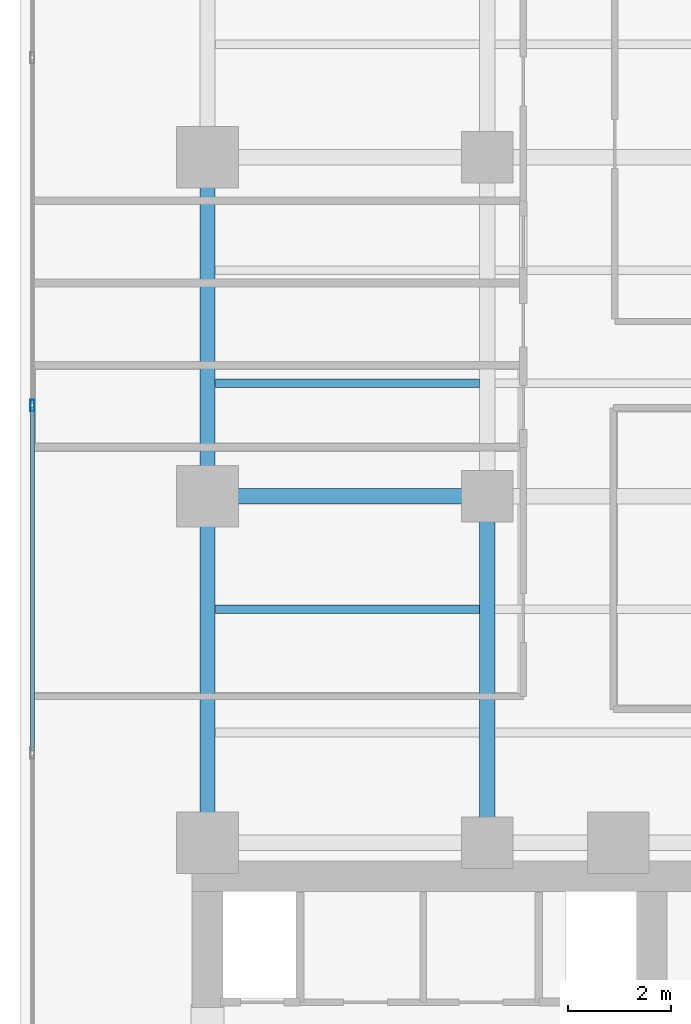
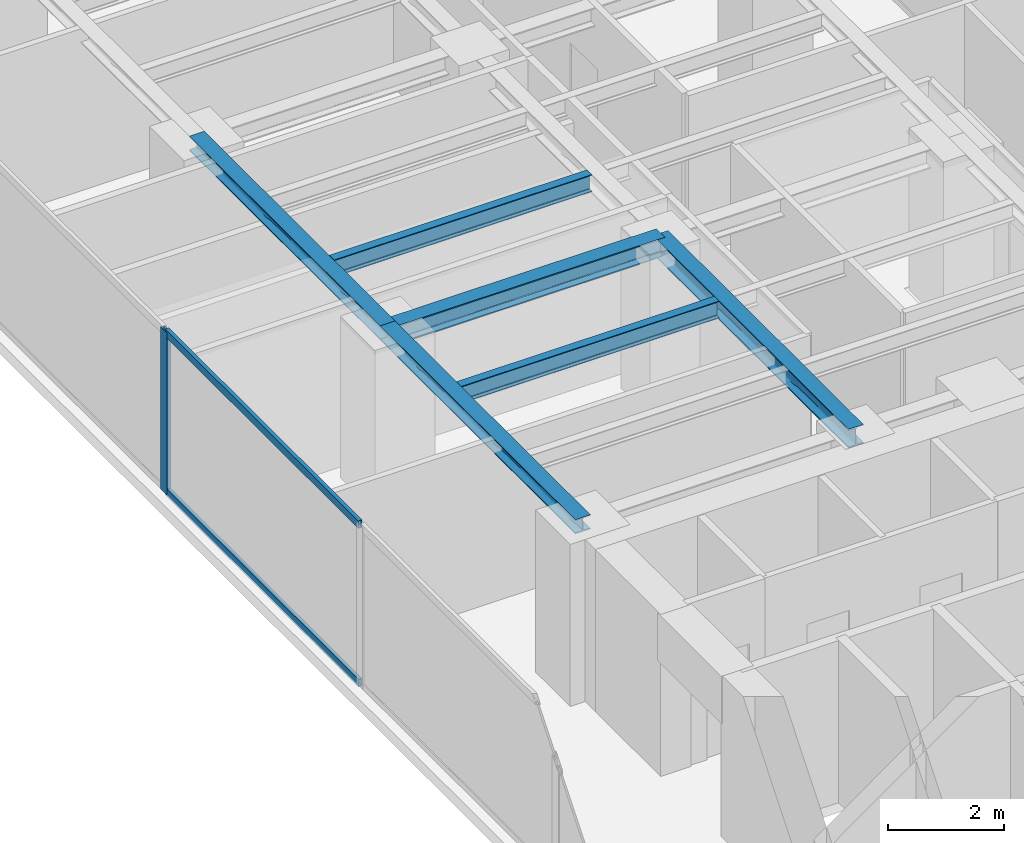
# One storey, part 7 of 26: 6 beams, 3 members, 1 element without a shape of its own.
"""IFC4 building model written with IfcOpenShell, lengths in metres."""

from ifc_helpers import new_model, si_unit, direction, frame, origin, origin_with_axes, origin_2d, place, context, subcontext, project, spatial, hollow_rectangle, i_section, extrude, source, transform, mapped, material, layer, layer_set, material_profile, profile_set, type_object, element, aggregate, save


model = new_model("IFC4")

# Units and contexts
model_context = context("Model", 3, precision=1e-05, world=origin(), true_north=direction((0.0, 1.0)))
body_context = subcontext(model_context, "Body", "Model", "MODEL_VIEW")
ifc_project = project(units=[si_unit("LENGTHUNIT", "METRE"), si_unit("AREAUNIT", "SQUARE_METRE"), si_unit("VOLUMEUNIT", "CUBIC_METRE"), si_unit("PLANEANGLEUNIT", "RADIAN"), si_unit("MASSUNIT", "GRAM", prefix="KILO")], contexts=[model_context])

# Site, building, storey
site_placement = place(None, origin())
site = spatial("IfcSite", under=ifc_project, at=site_placement, CompositionType="ELEMENT")
building_placement = place(site_placement, origin())
building = spatial("IfcBuilding", under=site, at=building_placement, Name="Kolvaren Waterfront Exchange", CompositionType="ELEMENT")
storey_placement = place(building_placement, frame((0.0, 0.0, 195.60009765625)))
storey = spatial("IfcBuildingStorey", under=building, at=storey_placement, Name="L50", CompositionType="ELEMENT", Elevation=195.60009765625)

# Beams
ifc_material_1 = material(Name="Steel S355", Category="steel")
ifc_material_profile_1 = material_profile(ifc_material_1, i_section(OverallWidth=0.300048828125, OverallDepth=0.300048828125, WebThickness=0.010986328125, FlangeThickness=0.01904296875, FilletRadius=0.027099609375, at=origin_2d()), Name="HEB300")
ifc_profile_set_1 = profile_set([ifc_material_profile_1], Name="Steel S355")
beam_type_1 = type_object("IfcBeamType", Name="STR-BM-HEB300", PredefinedType="SPANDREL", material=ifc_profile_set_1)
beam_1_placement = place(storey_placement, frame((7.449951171875, 24.449951171875, 3.27001953125), z_axis=(0.0, 1.0, 0.0), x_axis=(-1.0, 0.0, 0.0)))
element("IfcBeam", 1, at=beam_1_placement, inside=storey, type_object=beam_type_1, Name="L50 north-arm edge beam 1", PredefinedType="SPANDREL", context=body_context, shape_type="SweptSolid", body=[
    extrude(i_section(OverallWidth=0.300048828125, OverallDepth=0.300048828125, WebThickness=0.010986328125, FlangeThickness=0.01904296875, FilletRadius=0.027099609375, at=origin_2d()), origin(), (0.0, 0.0, 1.0), 6.75),
])
beam_2_placement = place(storey_placement, frame((7.449951171875, 31.199951171875, 3.27001953125), z_axis=(0.0, 1.0, 0.0), x_axis=(-1.0, 0.0, 0.0)))
element("IfcBeam", 2, at=beam_2_placement, inside=storey, type_object=beam_type_1, Name="L50 north-arm edge beam 2", PredefinedType="SPANDREL", context=body_context, shape_type="SweptSolid", body=[
    extrude(i_section(OverallWidth=0.300048828125, OverallDepth=0.300048828125, WebThickness=0.010986328125, FlangeThickness=0.01904296875, FilletRadius=0.027099609375, at=origin_2d()), origin(), (0.0, 0.0, 1.0), 6.60009765625),
])
ifc_material_profile_2 = material_profile(ifc_material_1, i_section(OverallWidth=0.300048828125, OverallDepth=0.39990234375, WebThickness=0.013427734375, FlangeThickness=0.02392578125, FilletRadius=0.027099609375, at=origin_2d()), Name="HEB400")
ifc_profile_set_2 = profile_set([ifc_material_profile_2], Name="Steel S355")
beam_type_2 = type_object("IfcBeamType", Name="STR-BM-HEB400", PredefinedType="BEAM", material=ifc_profile_set_2)
beam_3_placement = place(storey_placement, frame((7.449951171875, 31.199951171875, 3.219970703125), z_axis=(1.0, 0.0, 0.0), x_axis=(0.0, 1.0, 0.0)))
element("IfcBeam", 3, at=beam_3_placement, inside=storey, type_object=beam_type_2, Name="L50 north-arm girder 2A", PredefinedType="BEAM", context=body_context, shape_type="SweptSolid", body=[
    extrude(i_section(OverallWidth=0.300048828125, OverallDepth=0.39990234375, WebThickness=0.013427734375, FlangeThickness=0.02392578125, FilletRadius=0.027099609375, at=origin_2d()), origin(), (0.0, 0.0, 1.0), 5.449951171875),
])
beam_4_placement = place(storey_placement, frame((12.89990234375, 24.449951171875, 3.219970703125), z_axis=(0.0, 1.0, 0.0), x_axis=(-1.0, 0.0, 0.0)))
element("IfcBeam", 4, at=beam_4_placement, inside=storey, type_object=beam_type_2, Name="L50 north-arm edge beam 1", PredefinedType="BEAM", context=body_context, shape_type="SweptSolid", body=[
    extrude(i_section(OverallWidth=0.300048828125, OverallDepth=0.39990234375, WebThickness=0.013427734375, FlangeThickness=0.02392578125, FilletRadius=0.027099609375, at=origin_2d()), origin(), (0.0, 0.0, 1.0), 6.75),
])
ifc_material_profile_3 = material_profile(ifc_material_1, i_section(OverallWidth=0.169921875, OverallDepth=0.360107421875, WebThickness=0.008056640625, FlangeThickness=0.0126953125, FilletRadius=0.01806640625, at=origin_2d()), Name="IPE360")
ifc_profile_set_3 = profile_set([ifc_material_profile_3], Name="Steel S355")
beam_type_3 = type_object("IfcBeamType", Name="STR-BM-IPE360", PredefinedType="JOIST", material=ifc_profile_set_3)
for number, where, z_axis, x_axis, name in (
    (5, (7.60205078125, 29.0, 3.239990234375), (1.0, 0.0, 0.0), (0.0, 1.0, 0.0), "L50 north-arm composite joist 2A"),
    (6, (7.60205078125, 33.39990234375, 3.239990234375), (1.0, 0.0, 0.0), (0.0, 1.0, 0.0), "L50 north-arm composite joist 3A"),
):
    element("IfcBeam", number, at=place(storey_placement, frame(where, z_axis=z_axis, x_axis=x_axis)), inside=storey, type_object=beam_type_3, Name=name, PredefinedType="JOIST", context=body_context, shape_type="SweptSolid", body=[
        extrude(i_section(OverallWidth=0.169921875, OverallDepth=0.360107421875, WebThickness=0.008056640625, FlangeThickness=0.0126953125, FilletRadius=0.01806640625, at=origin_2d()), origin(), (0.0, 0.0, 1.0), 5.14599609375),
    ])

# Curtain wall, members
ifc_material_2 = material(Name="Anodised aluminium 6063-T6", Category="aluminium")
ifc_layer = layer(ifc_material_2, 0.219970703125, Name="Anodised aluminium 6063-T6")
ifc_layer_set = layer_set([ifc_layer], Name="Anodised aluminium 6063-T6")
curtain_wall_type = type_object("IfcCurtainWallType", Name="ARC-CW-SYS2", PredefinedType="USERDEFINED", material=ifc_layer_set)
curtain_wall_placement = place(storey_placement, origin())
curtain_wall = element("IfcCurtainWall", 7, at=curtain_wall_placement, inside=storey, type_object=curtain_wall_type, Name="L50 stick curtain wall CW2 (CW-L50-W)", ObjectType="STICK CURTAIN WALL", PredefinedType="USERDEFINED")
ifc_material_profile_4 = material_profile(ifc_material_2, hollow_rectangle(XDim=0.080078125, YDim=0.219970703125, WallThickness=0.0048828125, at=origin_2d()), Name="ALU-MUL-220x80x5")
ifc_profile_set_4 = profile_set([ifc_material_profile_4], Name="Anodised aluminium 6063-T6")
member_type_1 = type_object("IfcMemberType", Name="ARC-CWM-220", PredefinedType="MULLION", material=ifc_profile_set_4)
shared_shape_1 = source(origin_with_axes(), body_context, "Body", "SweptSolid", [
    extrude(hollow_rectangle(XDim=0.080078125, YDim=0.219970703125, WallThickness=0.0048828125, at=origin_2d()), origin(), (0.0, 0.0, 1.0), 3.419921875),
])
member_1_placement = place(storey_placement, frame((4.0400390625, 32.966552734375, 0.0), z_axis=(0.0, 0.0, 1.0), x_axis=(-1.0, 0.0, 0.0)))
member_1 = element("IfcMember", 8, at=member_1_placement, type_object=member_type_1, Name="CW2 mullion 5", PredefinedType="MULLION", context=body_context, shape_type="MappedRepresentation", body=[
    mapped(shared_shape_1, transform((0.0, 0.0, 0.0), x_axis=(1.0, 0.0, 0.0), y_axis=(0.0, 1.0, 0.0), z_axis=(0.0, 0.0, 1.0), scale=1.0)),
])
ifc_material_profile_5 = material_profile(ifc_material_2, hollow_rectangle(XDim=0.074951171875, YDim=0.159912109375, WallThickness=0.00439453125, at=origin_2d()), Name="ALU-TRN-160x75x4.5")
ifc_profile_set_5 = profile_set([ifc_material_profile_5], Name="Anodised aluminium 6063-T6")
member_type_2 = type_object("IfcMemberType", Name="ARC-CWT-160", PredefinedType="USERDEFINED", material=ifc_profile_set_5)
shared_shape_2 = source(origin_with_axes(), body_context, "Body", "SweptSolid", [
    extrude(hollow_rectangle(XDim=0.074951171875, YDim=0.159912109375, WallThickness=0.00439453125, at=origin_2d()), origin(), (0.0, 0.0, 1.0), 6.686767578125),
])
member_2_placement = place(storey_placement, frame((4.0400390625, 26.239990234375, 0.037353515625), z_axis=(0.0, 1.0, 0.0), x_axis=(-1.0, 0.0, 0.0)))
member_2 = element("IfcMember", 9, at=member_2_placement, type_object=member_type_2, Name="CW2 transom 4.1", ObjectType="TRANSOM", PredefinedType="USERDEFINED", context=body_context, shape_type="MappedRepresentation", body=[
    mapped(shared_shape_2, transform((0.0, 0.0, 0.0), x_axis=(1.0, 0.0, 0.0), y_axis=(0.0, 1.0, 0.0), z_axis=(0.0, 0.0, 1.0), scale=1.0)),
])
member_3_placement = place(storey_placement, frame((4.0400390625, 26.239990234375, 3.38232421875), z_axis=(0.0, 1.0, 0.0), x_axis=(-1.0, 0.0, 0.0)))
member_3 = element("IfcMember", 10, at=member_3_placement, type_object=member_type_2, Name="CW2 transom 4.2", ObjectType="TRANSOM", PredefinedType="USERDEFINED", context=body_context, shape_type="MappedRepresentation", body=[
    mapped(shared_shape_2, transform((0.0, 0.0, 0.0), x_axis=(1.0, 0.0, 0.0), y_axis=(0.0, 1.0, 0.0), z_axis=(0.0, 0.0, 1.0), scale=1.0)),
])
aggregate(curtain_wall, [member_1, member_2, member_3])

save(model, "model.ifc")
